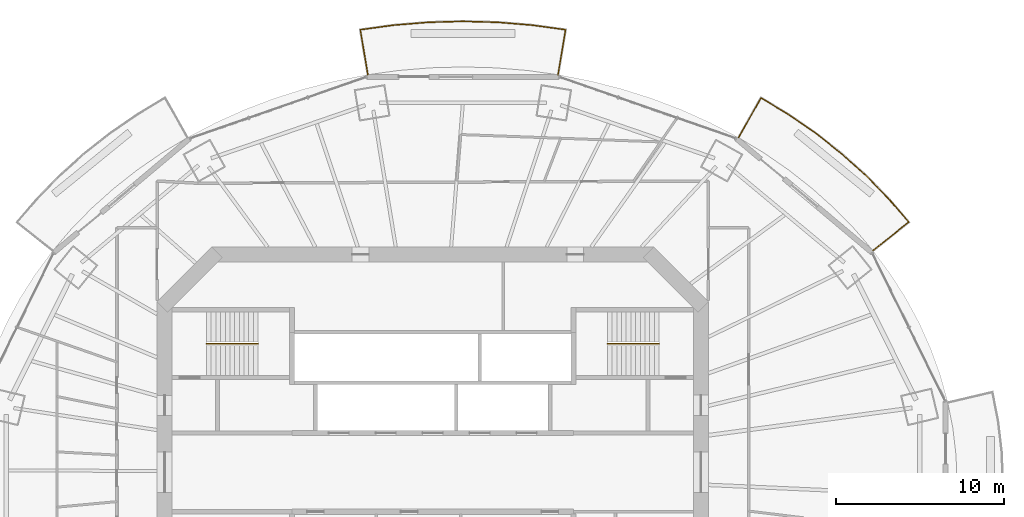
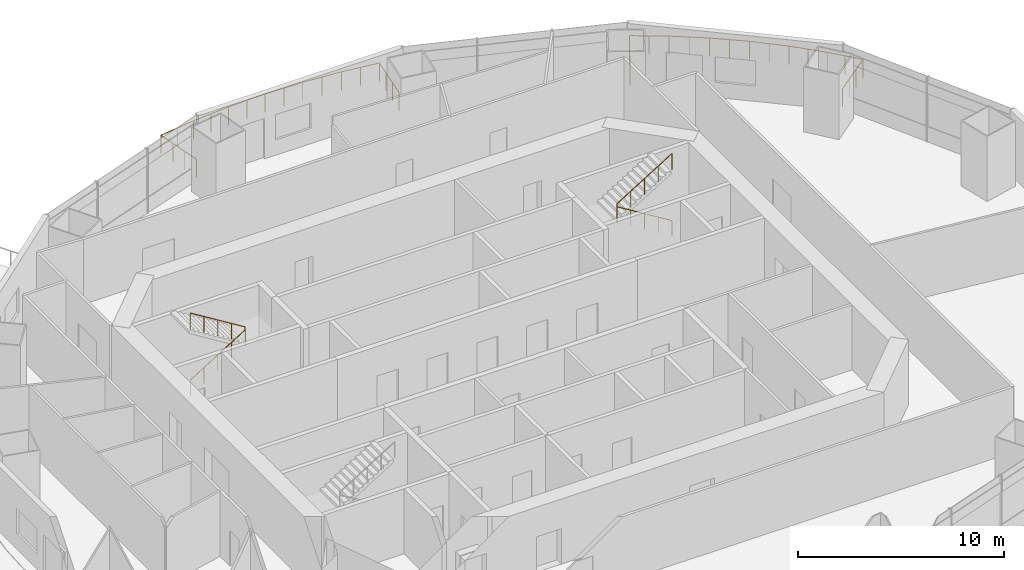
# One storey, part 15 of 16: 4 railings.
"""IFC4 building model written with IfcOpenShell, lengths in metres."""

from ifc_helpers import new_model, si_unit, direction, frame, origin, origin_2d, place, context, subcontext, project, spatial, circle, extrude, material, type_object, element, save


model = new_model("IFC4")

# Units and contexts
model_context = context("Model", 3, precision=1e-05, world=origin(), true_north=direction((0.0, 1.0)))
body_context = subcontext(model_context, "Body", "Model", "MODEL_VIEW")
ifc_project = project(units=[si_unit("LENGTHUNIT", "METRE"), si_unit("AREAUNIT", "SQUARE_METRE"), si_unit("VOLUMEUNIT", "CUBIC_METRE"), si_unit("PLANEANGLEUNIT", "RADIAN"), si_unit("MASSUNIT", "GRAM", prefix="KILO")], contexts=[model_context])

# Site, building, storey
site_placement = place(None, origin())
site = spatial("IfcSite", under=ifc_project, at=site_placement, CompositionType="ELEMENT")
building_placement = place(site_placement, origin())
building = spatial("IfcBuilding", under=site, at=building_placement, Name="Marenthal Gate Tower", CompositionType="ELEMENT")
storey_placement = place(building_placement, frame((0.0, 0.0, 268.949951171875)))
storey = spatial("IfcBuildingStorey", under=building, at=storey_placement, Name="L60", CompositionType="ELEMENT", Elevation=268.949951171875)

# Railings
ifc_material_1 = material(Name="Stainless steel", Category="steel")
railing_type_1 = type_object("IfcRailingType", Name="Balcony guard 1100", PredefinedType="GUARDRAIL", material=ifc_material_1)
railing_1_placement = place(storey_placement, frame((18.24853515625, 19.971435546875, 0.0)))
element("IfcRailing", 1, at=railing_1_placement, inside=storey, type_object=railing_type_1, Name="Balcony guard L60 bay 2", PredefinedType="GUARDRAIL", context=body_context, shape_type="SweptSolid", body=[
    extrude(circle(Radius=0.02392578125, at=origin_2d()), frame((0.0, 0.0, 1.076171875), z_axis=(0.490110126521, 0.87153624586, -0.01471856084), x_axis=(-0.871630664279, 0.490163222905, 0.0)), (0.0, 0.0, 1.0), 2.72021484375),
    extrude(circle(Radius=0.02392578125, at=origin_2d()), frame((1.333251953125, 2.370849609375, 1.0361328125), z_axis=(0.855802788103, -0.517302221023, 0.0), x_axis=(0.517302221023, 0.855802788103, 0.0)), (0.0, 0.0, 1.0), 1.9169921875),
    extrude(circle(Radius=0.02392578125, at=origin_2d()), frame((2.973876953125, 1.379150390625, 1.0361328125), z_axis=(0.823073780852, -0.567934460369, 0.0), x_axis=(0.567934460369, 0.823073780852, 0.0)), (0.0, 0.0, 1.0), 1.981689453125),
    extrude(circle(Radius=0.02392578125, at=origin_2d()), frame((4.60498046875, 0.253662109375, 1.0361328125), z_axis=(0.78557216762, -0.618770045705, 0.0), x_axis=(0.618770045705, 0.78557216762, 0.0)), (0.0, 0.0, 1.0), 1.965576171875),
    extrude(circle(Radius=0.02392578125, at=origin_2d()), frame((6.149169921875, -0.962646484375, 1.0361328125), z_axis=(0.744090634805, -0.668078683387, 0.0), x_axis=(0.668078683387, 0.744090634805, 0.0)), (0.0, 0.0, 1.0), 1.94970703125),
    extrude(circle(Radius=0.02392578125, at=origin_2d()), frame((7.599853515625, -2.26513671875, 1.0361328125), z_axis=(0.698404320823, -0.715703433452, 0.0), x_axis=(0.715703433452, 0.698404320823, 0.0)), (0.0, 0.0, 1.0), 1.933349609375),
    extrude(circle(Radius=0.02392578125, at=origin_2d()), frame((8.9501953125, -3.64892578125, 1.0361328125), z_axis=(0.649762582355, -0.760137215621, 0.0), x_axis=(0.760137215621, 0.649762582355, 0.0)), (0.0, 0.0, 1.0), 1.838134765625),
    extrude(circle(Radius=0.02392578125, at=origin_2d()), frame((10.14453125, -5.046142578125, 1.0361328125), z_axis=(-0.783099279626, -0.621722488249, 0.014719573852), x_axis=(0.621789852213, -0.783184128852, 0.0)), (0.0, 0.0, 1.0), 2.72021484375),
    extrude(circle(Radius=0.02099609375, at=origin_2d()), origin(), (0.0, 0.0, 1.0), 1.052001953125),
    extrude(circle(Radius=0.02099609375, at=origin_2d()), frame((0.4443359375, 0.790283203125, -0.013427734375)), (0.0, 0.0, 1.0), 1.052001953125),
    extrude(circle(Radius=0.02099609375, at=origin_2d()), frame((0.888916015625, 1.58056640625, -0.026611328125)), (0.0, 0.0, 1.0), 1.052001953125),
    extrude(circle(Radius=0.02099609375, at=origin_2d()), frame((1.333251953125, 2.370849609375, -0.0400390625)), (0.0, 0.0, 1.0), 1.052001953125),
    extrude(circle(Radius=0.02099609375, at=origin_2d()), frame((2.153564453125, 1.875, -0.0400390625)), (0.0, 0.0, 1.0), 1.052001953125),
    extrude(circle(Radius=0.02099609375, at=origin_2d()), frame((2.973876953125, 1.379150390625, -0.0400390625)), (0.0, 0.0, 1.0), 1.052001953125),
    extrude(circle(Radius=0.02099609375, at=origin_2d()), frame((3.78955078125, 0.81640625, -0.0400390625)), (0.0, 0.0, 1.0), 1.052001953125),
    extrude(circle(Radius=0.02099609375, at=origin_2d()), frame((4.60498046875, 0.253662109375, -0.0400390625)), (0.0, 0.0, 1.0), 1.052001953125),
    extrude(circle(Radius=0.02099609375, at=origin_2d()), frame((5.376953125, -0.3544921875, -0.0400390625)), (0.0, 0.0, 1.0), 1.052001953125),
    extrude(circle(Radius=0.02099609375, at=origin_2d()), frame((6.149169921875, -0.962646484375, -0.0400390625)), (0.0, 0.0, 1.0), 1.052001953125),
    extrude(circle(Radius=0.02099609375, at=origin_2d()), frame((6.87451171875, -1.61376953125, -0.0400390625)), (0.0, 0.0, 1.0), 1.052001953125),
    extrude(circle(Radius=0.02099609375, at=origin_2d()), frame((7.599853515625, -2.26513671875, -0.0400390625)), (0.0, 0.0, 1.0), 1.052001953125),
    extrude(circle(Radius=0.02099609375, at=origin_2d()), frame((8.27490234375, -2.95703125, -0.0400390625)), (0.0, 0.0, 1.0), 1.052001953125),
    extrude(circle(Radius=0.02099609375, at=origin_2d()), frame((8.9501953125, -3.64892578125, -0.0400390625)), (0.0, 0.0, 1.0), 1.052001953125),
    extrude(circle(Radius=0.02099609375, at=origin_2d()), frame((9.54736328125, -4.34765625, -0.0400390625)), (0.0, 0.0, 1.0), 1.052001953125),
    extrude(circle(Radius=0.02099609375, at=origin_2d()), frame((10.14453125, -5.046142578125, -0.0400390625)), (0.0, 0.0, 1.0), 1.052001953125),
    extrude(circle(Radius=0.02099609375, at=origin_2d()), frame((9.4345703125, -5.60986328125, -0.026611328125)), (0.0, 0.0, 1.0), 1.052001953125),
    extrude(circle(Radius=0.02099609375, at=origin_2d()), frame((8.724365234375, -6.173583984375, -0.013427734375)), (0.0, 0.0, 1.0), 1.052001953125),
    extrude(circle(Radius=0.02099609375, at=origin_2d()), frame((8.014404296875, -6.7373046875, 0.0)), (0.0, 0.0, 1.0), 1.052001953125),
])
railing_2_placement = place(storey_placement, frame((-3.87255859375, 23.724853515625, 0.0)))
element("IfcRailing", 2, at=railing_2_placement, inside=storey, type_object=railing_type_1, Name="Balcony guard L60 bay 4", PredefinedType="GUARDRAIL", context=body_context, shape_type="SweptSolid", body=[
    extrude(circle(Radius=0.02392578125, at=origin_2d()), frame((0.0, 0.0, 1.076171875), z_axis=(-0.16513793129, 0.986160646201, -0.014718815615), x_axis=(-0.986267486225, -0.165155822229, 0.0)), (0.0, 0.0, 1.0), 2.72021484375),
    extrude(circle(Radius=0.02392578125, at=origin_2d()), frame((-0.44921875, 2.6826171875, 1.0361328125), z_axis=(0.990645127647, 0.136463295684, 0.0), x_axis=(-0.136463295684, 0.990645127647, 0.0)), (0.0, 0.0, 1.0), 1.992919921875),
    extrude(circle(Radius=0.02392578125, at=origin_2d()), frame((1.525146484375, 2.95458984375, 1.0361328125), z_axis=(0.996588596439, 0.082529809449, 0.0), x_axis=(-0.082529809449, 0.996588596439, 0.0)), (0.0, 0.0, 1.0), 2.07666015625),
    extrude(circle(Radius=0.02392578125, at=origin_2d()), frame((3.5947265625, 3.1259765625, 1.0361328125), z_axis=(0.999622258755, 0.027483445958, 0.0), x_axis=(-0.027483445958, 0.999622258755, 0.0)), (0.0, 0.0, 1.0), 2.07861328125),
    extrude(circle(Radius=0.02392578125, at=origin_2d()), frame((5.672607421875, 3.18310546875, 1.0361328125), z_axis=(0.999622258755, -0.027483445958, 0.0), x_axis=(0.027483445958, 0.999622258755, 0.0)), (0.0, 0.0, 1.0), 2.07861328125),
    extrude(circle(Radius=0.02392578125, at=origin_2d()), frame((7.75048828125, 3.1259765625, 1.0361328125), z_axis=(0.996588596439, -0.082529809449, 0.0), x_axis=(0.082529809449, 0.996588596439, 0.0)), (0.0, 0.0, 1.0), 2.07666015625),
    extrude(circle(Radius=0.02392578125, at=origin_2d()), frame((9.820068359375, 2.95458984375, 1.0361328125), z_axis=(0.990642846037, -0.136479857839, 0.0), x_axis=(0.136479857839, 0.990642846037, 0.0)), (0.0, 0.0, 1.0), 1.99267578125),
    extrude(circle(Radius=0.02392578125, at=origin_2d()), frame((11.794189453125, 2.6826171875, 1.0361328125), z_axis=(-0.165050627973, -0.986175258386, 0.014719033707), x_axis=(0.986282103159, -0.165068509984, 0.0)), (0.0, 0.0, 1.0), 2.72021484375),
    extrude(circle(Radius=0.02099609375, at=origin_2d()), origin(), (0.0, 0.0, 1.0), 1.052001953125),
    extrude(circle(Radius=0.02099609375, at=origin_2d()), frame((-0.149658203125, 0.894287109375, -0.013427734375)), (0.0, 0.0, 1.0), 1.052001953125),
    extrude(circle(Radius=0.02099609375, at=origin_2d()), frame((-0.299560546875, 1.788330078125, -0.026611328125)), (0.0, 0.0, 1.0), 1.052001953125),
    extrude(circle(Radius=0.02099609375, at=origin_2d()), frame((-0.44921875, 2.6826171875, -0.0400390625)), (0.0, 0.0, 1.0), 1.052001953125),
    extrude(circle(Radius=0.02099609375, at=origin_2d()), frame((0.5380859375, 2.818603515625, -0.0400390625)), (0.0, 0.0, 1.0), 1.052001953125),
    extrude(circle(Radius=0.02099609375, at=origin_2d()), frame((1.525146484375, 2.95458984375, -0.0400390625)), (0.0, 0.0, 1.0), 1.052001953125),
    extrude(circle(Radius=0.02099609375, at=origin_2d()), frame((2.56005859375, 3.040283203125, -0.0400390625)), (0.0, 0.0, 1.0), 1.052001953125),
    extrude(circle(Radius=0.02099609375, at=origin_2d()), frame((3.5947265625, 3.1259765625, -0.0400390625)), (0.0, 0.0, 1.0), 1.052001953125),
    extrude(circle(Radius=0.02099609375, at=origin_2d()), frame((4.6337890625, 3.154541015625, -0.0400390625)), (0.0, 0.0, 1.0), 1.052001953125),
    extrude(circle(Radius=0.02099609375, at=origin_2d()), frame((5.672607421875, 3.18310546875, -0.0400390625)), (0.0, 0.0, 1.0), 1.052001953125),
    extrude(circle(Radius=0.02099609375, at=origin_2d()), frame((6.71142578125, 3.154541015625, -0.0400390625)), (0.0, 0.0, 1.0), 1.052001953125),
    extrude(circle(Radius=0.02099609375, at=origin_2d()), frame((7.75048828125, 3.1259765625, -0.0400390625)), (0.0, 0.0, 1.0), 1.052001953125),
    extrude(circle(Radius=0.02099609375, at=origin_2d()), frame((8.78515625, 3.040283203125, -0.0400390625)), (0.0, 0.0, 1.0), 1.052001953125),
    extrude(circle(Radius=0.02099609375, at=origin_2d()), frame((9.820068359375, 2.95458984375, -0.0400390625)), (0.0, 0.0, 1.0), 1.052001953125),
    extrude(circle(Radius=0.02099609375, at=origin_2d()), frame((10.80712890625, 2.818603515625, -0.0400390625)), (0.0, 0.0, 1.0), 1.052001953125),
    extrude(circle(Radius=0.02099609375, at=origin_2d()), frame((11.794189453125, 2.6826171875, -0.0400390625)), (0.0, 0.0, 1.0), 1.052001953125),
    extrude(circle(Radius=0.02099609375, at=origin_2d()), frame((11.64453125, 1.788330078125, -0.026611328125)), (0.0, 0.0, 1.0), 1.052001953125),
    extrude(circle(Radius=0.02099609375, at=origin_2d()), frame((11.494873046875, 0.894287109375, -0.013427734375)), (0.0, 0.0, 1.0), 1.052001953125),
    extrude(circle(Radius=0.02099609375, at=origin_2d()), frame((11.34521484375, 0.0, 0.0)), (0.0, 0.0, 1.0), 1.052001953125),
])
ifc_material_2 = material(Name="Stainless steel", Category="steel")
railing_type_2 = type_object("IfcRailingType", Name="Stair handrail", PredefinedType="HANDRAIL", material=ifc_material_2)
railing_3_placement = place(storey_placement, frame((-13.5, 7.675048828125, 0.1728515625)))
element("IfcRailing", 3, at=railing_3_placement, inside=storey, type_object=railing_type_2, Name="Handrail ST1", PredefinedType="HANDRAIL", context=body_context, shape_type="SweptSolid", body=[
    extrude(circle(Radius=0.0224609375, at=origin_2d()), frame((0.0, 0.0, 0.927490234375), z_axis=(0.850835241893, 0.0, 0.525432575268), x_axis=(0.0, 1.0, 0.0)), (0.0, 0.0, 1.0), 3.6201171875),
    extrude(circle(Radius=0.0224609375, at=origin_2d()), frame((3.080078125, 0.0, 2.82958984375), z_axis=(0.0, 0.0, 1.0), x_axis=(1.0, 0.0, 0.0)), (0.0, 0.0, 1.0), 0.173095703125),
    extrude(circle(Radius=0.0224609375, at=origin_2d()), frame((3.080078125, 0.0, 3.002685546875), z_axis=(-0.850835241893, 0.0, 0.525432575268), x_axis=(0.0, -1.0, 0.0)), (0.0, 0.0, 1.0), 3.6201171875),
    extrude(circle(Radius=0.02001953125, at=origin_2d()), origin(), (0.0, 0.0, 1.0), 0.905029296875),
    extrude(circle(Radius=0.02001953125, at=origin_2d()), frame((0.77001953125, 0.0, 0.4755859375)), (0.0, 0.0, 1.0), 0.905029296875),
    extrude(circle(Radius=0.02001953125, at=origin_2d()), frame((1.5400390625, 0.0, 0.951171875)), (0.0, 0.0, 1.0), 0.905029296875),
    extrude(circle(Radius=0.02001953125, at=origin_2d()), frame((2.31005859375, 0.0, 1.426513671875)), (0.0, 0.0, 1.0), 0.905029296875),
    extrude(circle(Radius=0.02001953125, at=origin_2d()), frame((3.080078125, 0.0, 1.902099609375)), (0.0, 0.0, 1.0), 0.905029296875),
    extrude(circle(Radius=0.02001953125, at=origin_2d()), frame((3.080078125, 0.0, 2.0751953125)), (0.0, 0.0, 1.0), 0.905029296875),
    extrude(circle(Radius=0.02001953125, at=origin_2d()), frame((2.31005859375, 0.0, 2.55078125)), (0.0, 0.0, 1.0), 0.905029296875),
    extrude(circle(Radius=0.02001953125, at=origin_2d()), frame((1.5400390625, 0.0, 3.0263671875)), (0.0, 0.0, 1.0), 0.905029296875),
    extrude(circle(Radius=0.02001953125, at=origin_2d()), frame((0.77001953125, 0.0, 3.501708984375)), (0.0, 0.0, 1.0), 0.905029296875),
    extrude(circle(Radius=0.02001953125, at=origin_2d()), frame((0.0, 0.0, 3.977294921875)), (0.0, 0.0, 1.0), 0.905029296875),
])
railing_4_placement = place(storey_placement, frame((13.5, 7.675048828125, 0.1728515625)))
element("IfcRailing", 4, at=railing_4_placement, inside=storey, type_object=railing_type_2, Name="Handrail ST3", PredefinedType="HANDRAIL", context=body_context, shape_type="SweptSolid", body=[
    extrude(circle(Radius=0.0224609375, at=origin_2d()), frame((0.0, 0.0, 0.927490234375), z_axis=(-0.850835241893, 0.0, 0.525432575268), x_axis=(0.0, -1.0, 0.0)), (0.0, 0.0, 1.0), 3.6201171875),
    extrude(circle(Radius=0.0224609375, at=origin_2d()), frame((-3.080078125, 0.0, 2.82958984375), z_axis=(0.0, 0.0, 1.0), x_axis=(1.0, 0.0, 0.0)), (0.0, 0.0, 1.0), 0.173095703125),
    extrude(circle(Radius=0.0224609375, at=origin_2d()), frame((-3.080078125, 0.0, 3.002685546875), z_axis=(0.850835241893, 0.0, 0.525432575268), x_axis=(0.0, 1.0, 0.0)), (0.0, 0.0, 1.0), 3.6201171875),
    extrude(circle(Radius=0.02001953125, at=origin_2d()), origin(), (0.0, 0.0, 1.0), 0.905029296875),
    extrude(circle(Radius=0.02001953125, at=origin_2d()), frame((-0.77001953125, 0.0, 0.4755859375)), (0.0, 0.0, 1.0), 0.905029296875),
    extrude(circle(Radius=0.02001953125, at=origin_2d()), frame((-1.5400390625, 0.0, 0.951171875)), (0.0, 0.0, 1.0), 0.905029296875),
    extrude(circle(Radius=0.02001953125, at=origin_2d()), frame((-2.31005859375, 0.0, 1.426513671875)), (0.0, 0.0, 1.0), 0.905029296875),
    extrude(circle(Radius=0.02001953125, at=origin_2d()), frame((-3.080078125, 0.0, 1.902099609375)), (0.0, 0.0, 1.0), 0.905029296875),
    extrude(circle(Radius=0.02001953125, at=origin_2d()), frame((-3.080078125, 0.0, 2.0751953125)), (0.0, 0.0, 1.0), 0.905029296875),
    extrude(circle(Radius=0.02001953125, at=origin_2d()), frame((-2.31005859375, 0.0, 2.55078125)), (0.0, 0.0, 1.0), 0.905029296875),
    extrude(circle(Radius=0.02001953125, at=origin_2d()), frame((-1.5400390625, 0.0, 3.0263671875)), (0.0, 0.0, 1.0), 0.905029296875),
    extrude(circle(Radius=0.02001953125, at=origin_2d()), frame((-0.77001953125, 0.0, 3.501708984375)), (0.0, 0.0, 1.0), 0.905029296875),
    extrude(circle(Radius=0.02001953125, at=origin_2d()), frame((0.0, 0.0, 3.977294921875)), (0.0, 0.0, 1.0), 0.905029296875),
])

save(model, "model.ifc")
